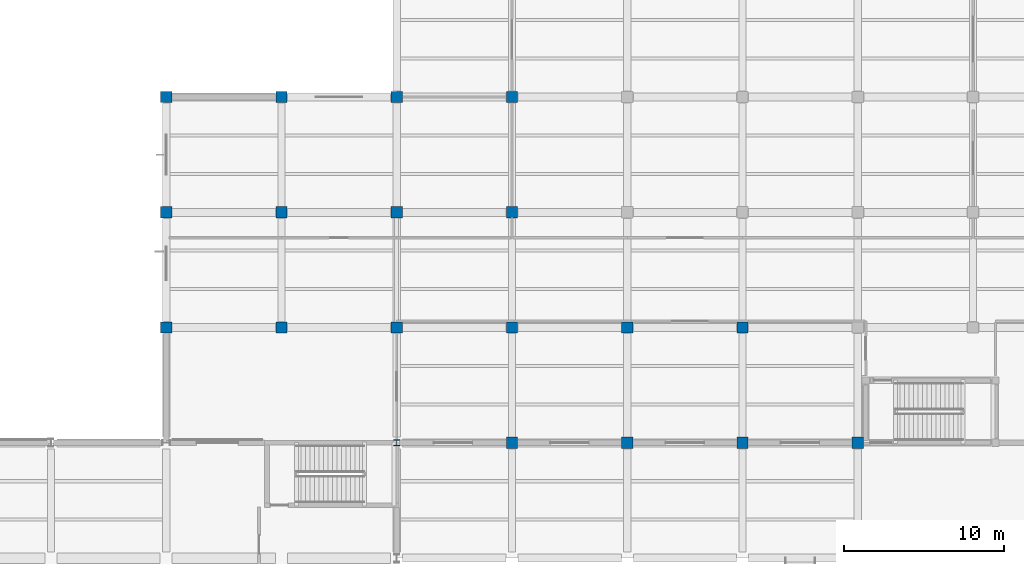
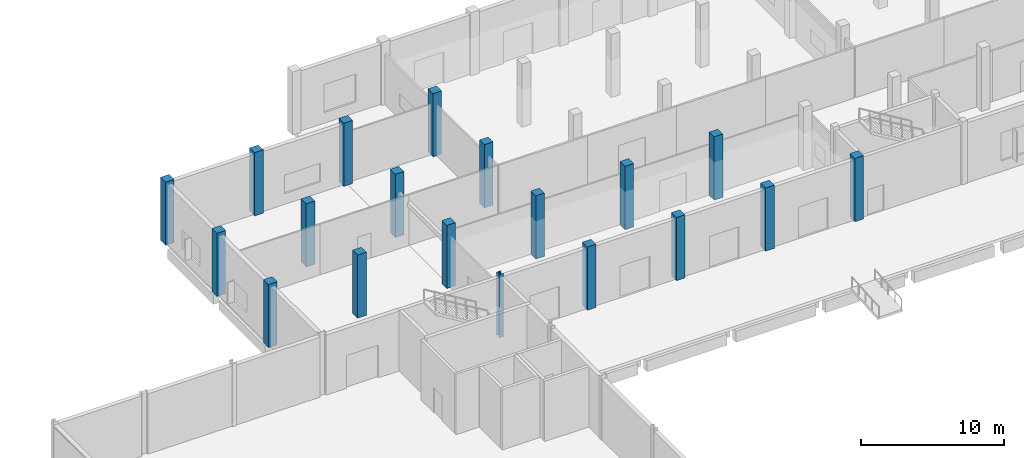
# One storey, part 11 of 46: 19 columns.
"""IFC4 building model written with IfcOpenShell, lengths in metres."""

from ifc_helpers import new_model, si_unit, direction, frame, origin, origin_2d, place, context, subcontext, project, spatial, rectangle, i_section, extrude, material, material_profile, profile_set, type_object, element, save


model = new_model("IFC4")

# Units and contexts
model_context = context("Model", 3, precision=1e-05, world=origin(), true_north=direction((0.0, 1.0)))
body_context = subcontext(model_context, "Body", "Model", "MODEL_VIEW")
ifc_project = project(units=[si_unit("LENGTHUNIT", "METRE"), si_unit("AREAUNIT", "SQUARE_METRE"), si_unit("VOLUMEUNIT", "CUBIC_METRE"), si_unit("PLANEANGLEUNIT", "RADIAN"), si_unit("MASSUNIT", "GRAM", prefix="KILO"), si_unit("THERMODYNAMICTEMPERATUREUNIT", "KELVIN"), si_unit("POWERUNIT", "WATT")], contexts=[model_context])

# Site, building, storey
site_placement = place(None, origin())
site = spatial("IfcSite", under=ifc_project, at=site_placement, CompositionType="ELEMENT")
building_placement = place(site_placement, origin())
building = spatial("IfcBuilding", under=site, at=building_placement, Name="Kaldorven Railside Theatre", CompositionType="ELEMENT")
storey_placement = place(building_placement, origin())
storey = spatial("IfcBuildingStorey", under=building, at=storey_placement, Name="L00", CompositionType="ELEMENT", Elevation=0.0)

# Columns
ifc_material_1 = material(Name="Concrete C40/50", Category="concrete")
ifc_material_profile_1 = material_profile(ifc_material_1, rectangle(XDim=0.699951171875, YDim=0.699951171875, at=origin_2d()), Name="RC 700x700")
ifc_profile_set_1 = profile_set([ifc_material_profile_1], Name="Concrete C40/50")
column_type_1 = type_object("IfcColumnType", Name="COL-RC700", PredefinedType="COLUMN", material=ifc_profile_set_1)
for number, where, z_axis, x_axis, name in (
    (1, (130.39990234375, 112.800048828125, 0.0), (0.0, 0.0, 1.0), (0.0, 1.0, 0.0), "L00 Column CG-L00-130-112"),
    (2, (137.60009765625, 112.800048828125, 0.0), (0.0, 0.0, 1.0), (1.0, 0.0, 0.0), "L00 Column CG-L00-137-112"),
    (3, (144.800048828125, 112.800048828125, 0.0), (0.0, 0.0, 1.0), (0.0, 1.0, 0.0), "L00 Column CG-L00-144-112"),
    (4, (152.0, 112.800048828125, 0.0), (0.0, 0.0, 1.0), (1.0, 0.0, 0.0), "L00 Column CG-L00-152-112"),
    (5, (108.800048828125, 120.0, 0.0), (0.0, 0.0, 1.0), (1.0, 0.0, 0.0), "L00 Column CG-L00-108-120"),
    (6, (116.0, 120.0, 0.0), (0.0, 0.0, 1.0), (1.0, 0.0, 0.0), "L00 Column CG-L00-116-120"),
    (7, (123.199951171875, 120.0, 0.0), (0.0, 0.0, 1.0), (0.0, 1.0, 0.0), "L00 Column CG-L00-123-120"),
    (8, (130.39990234375, 120.0, 0.0), (0.0, 0.0, 1.0), (1.0, 0.0, 0.0), "L00 Column CG-L00-130-120"),
    (9, (137.60009765625, 120.0, 0.0), (0.0, 0.0, 1.0), (0.0, 1.0, 0.0), "L00 Column CG-L00-137-120"),
    (10, (144.800048828125, 120.0, 0.0), (0.0, 0.0, 1.0), (1.0, 0.0, 0.0), "L00 Column CG-L00-144-120"),
    (11, (108.800048828125, 127.199951171875, 0.0), (0.0, 0.0, 1.0), (1.0, 0.0, 0.0), "L00 Column CG-L00-108-127"),
    (12, (116.0, 127.199951171875, 0.0), (0.0, 0.0, 1.0), (0.0, 1.0, 0.0), "L00 Column CG-L00-116-127"),
    (13, (123.199951171875, 127.199951171875, 0.0), (0.0, 0.0, 1.0), (1.0, 0.0, 0.0), "L00 Column CG-L00-123-127"),
    (14, (130.39990234375, 127.199951171875, 0.0), (0.0, 0.0, 1.0), (0.0, 1.0, 0.0), "L00 Column CG-L00-130-127"),
    (15, (108.800048828125, 134.39990234375, 0.0), (0.0, 0.0, 1.0), (0.0, 1.0, 0.0), "L00 Column CG-L00-108-134"),
    (16, (116.0, 134.39990234375, 0.0), (0.0, 0.0, 1.0), (1.0, 0.0, 0.0), "L00 Column CG-L00-116-134"),
    (17, (123.199951171875, 134.39990234375, 0.0), (0.0, 0.0, 1.0), (0.0, 1.0, 0.0), "L00 Column CG-L00-123-134"),
    (18, (130.39990234375, 134.39990234375, 0.0), (0.0, 0.0, 1.0), (1.0, 0.0, 0.0), "L00 Column CG-L00-130-134"),
):
    element("IfcColumn", number, at=place(storey_placement, frame(where, z_axis=z_axis, x_axis=x_axis)), inside=storey, type_object=column_type_1, Name=name, PredefinedType="COLUMN", context=body_context, shape_type="SweptSolid", body=[
        extrude(rectangle(XDim=0.699951171875, YDim=0.699951171875, at=origin_2d()), origin(), (0.0, 0.0, 1.0), 5.39990234375),
    ])
ifc_material_2 = material(Name="Steel S355", Category="steel")
ifc_material_profile_2 = material_profile(ifc_material_2, i_section(OverallWidth=0.37255859375, OverallDepth=0.3681640625, WebThickness=0.014404296875, FlangeThickness=0.023681640625, at=origin_2d()), Name="UC 356x368x177")
ifc_profile_set_2 = profile_set([ifc_material_profile_2], Name="Steel S355")
column_type_2 = type_object("IfcColumnType", Name="COL-UC356", PredefinedType="COLUMN", material=ifc_profile_set_2)
column_placement = place(storey_placement, frame((123.199951171875, 112.800048828125, 0.0), z_axis=(0.0, 0.0, 1.0), x_axis=(1.0, 0.0, 0.0)))
element("IfcColumn", 19, at=column_placement, inside=storey, type_object=column_type_2, Name="L00 Column CG-L00-123-112", PredefinedType="COLUMN", context=body_context, shape_type="SweptSolid", body=[
    extrude(i_section(OverallWidth=0.37255859375, OverallDepth=0.3681640625, WebThickness=0.014404296875, FlangeThickness=0.023681640625, at=origin_2d()), origin(), (0.0, 0.0, 1.0), 5.39990234375),
])

save(model, "model.ifc")
